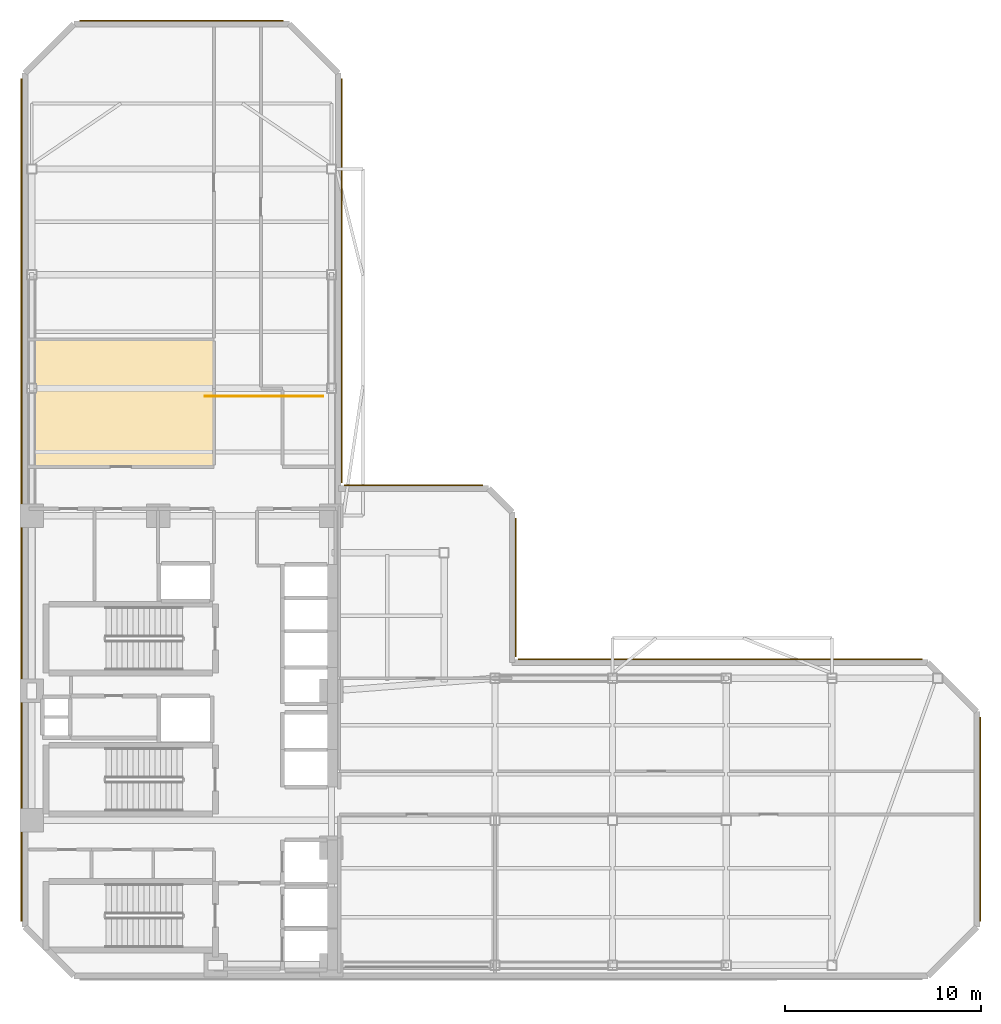
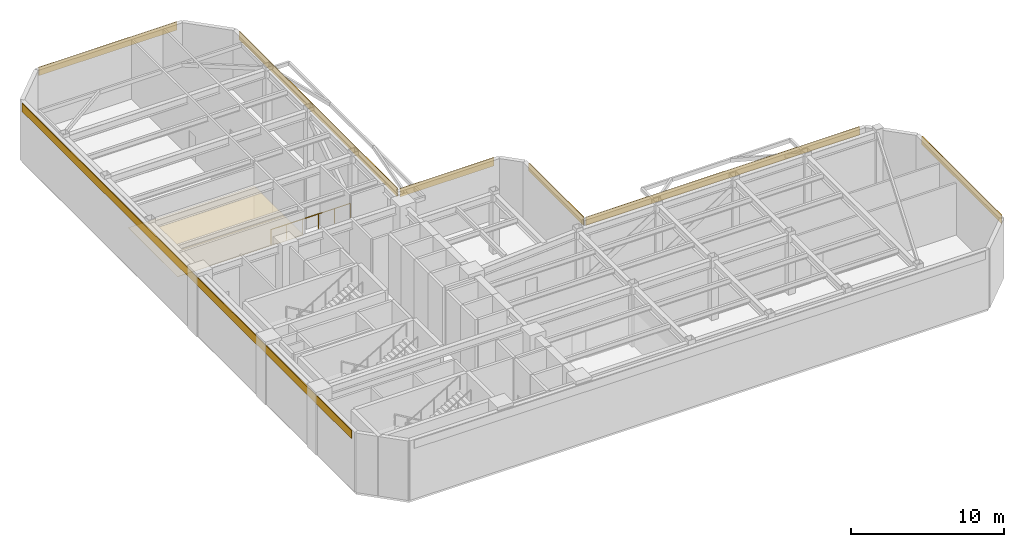
# One storey, part 9 of 9: 8 coverings, 1 railing.
"""IFC4 building model written with IfcOpenShell, lengths in metres."""

from ifc_helpers import new_model, si_unit, direction, frame, origin, origin_2d, place, context, subcontext, project, spatial, polyline, rectangle, outline, extrude, material, layer, layer_set, type_object, element, save


model = new_model("IFC4")

# Units and contexts
model_context = context("Model", 3, precision=1e-05, world=origin(), true_north=direction((0.0, 1.0)))
body_context = subcontext(model_context, "Body", "Model", "MODEL_VIEW")
ifc_project = project(units=[si_unit("LENGTHUNIT", "METRE"), si_unit("AREAUNIT", "SQUARE_METRE"), si_unit("VOLUMEUNIT", "CUBIC_METRE"), si_unit("PLANEANGLEUNIT", "RADIAN"), si_unit("MASSUNIT", "GRAM", prefix="KILO")], contexts=[model_context])

# Site, building, storey
site_placement = place(None, origin())
site = spatial("IfcSite", under=ifc_project, at=site_placement, CompositionType="ELEMENT")
building_placement = place(site_placement, origin())
building = spatial("IfcBuilding", under=site, at=building_placement, Name="Mawjaban Terraces University", CompositionType="ELEMENT")
storey_placement = place(building_placement, frame((0.0, 0.0, 165.800048828125)))
storey = spatial("IfcBuildingStorey", under=building, at=storey_placement, Name="L40", CompositionType="ELEMENT", Elevation=165.800048828125)

# Covering
ifc_material_1 = material(Name="Acoustic mineral fibre ceiling tile", Category="masonry")
ifc_layer_1 = layer(ifc_material_1, 0.02001953125)
ifc_layer_set_1 = layer_set([ifc_layer_1], Name="Acoustic mineral fibre ceiling tile")
covering_type_1 = type_object("IfcCoveringType", Name="AcousticMineralCeiling_20", PredefinedType="CEILING", material=ifc_layer_set_1)
covering_1_placement = place(storey_placement, frame((0.0, 0.0, 2.75)))
element("IfcCovering", 1, at=covering_1_placement, inside=storey, type_object=covering_type_1, Name="L40 Designated Smoke-Protected Refuge Area North Acoustic Ceiling", PredefinedType="CEILING", context=body_context, shape_type="SweptSolid", body=[
    extrude(outline(polyline([(22.114990234375, 26.030029296875), (31.6201171875, 26.030029296875), (31.6201171875, 32.469970703125), (22.114990234375, 32.469970703125), (22.114990234375, 26.030029296875)])), origin(), (0.0, 0.0, 1.0), 0.02001953125),
])

# Railing
ifc_material_2 = material(Name="Galvanised powder-coated steel S355", Category="steel")
railing_type = type_object("IfcRailingType", Name="TerraceGuardrail_1200", PredefinedType="GUARDRAIL", material=ifc_material_2)
railing_placement = place(storey_placement, frame((31.199951171875, 29.60009765625, 0.0)))
element("IfcRailing", 2, at=railing_placement, inside=storey, type_object=railing_type, Name="L40 Open-Band Refuge Guardrail North", PredefinedType="GUARDRAIL", context=body_context, shape_type="SweptSolid", body=[
    extrude(rectangle(XDim=0.048095703125, YDim=0.048095703125, at=origin_2d()), frame((0.0, 0.0, 1.17578125), z_axis=(1.0, 0.0, 0.0), x_axis=(0.0, 1.0, 0.0)), (0.0, 0.0, 1.0), 6.0),
    extrude(rectangle(XDim=0.0419921875, YDim=0.0419921875, at=origin_2d()), origin(), (0.0, 0.0, 1.0), 1.15185546875),
    extrude(rectangle(XDim=0.0419921875, YDim=0.0419921875, at=origin_2d()), frame((1.199951171875, 0.0, 0.0)), (0.0, 0.0, 1.0), 1.15185546875),
    extrude(rectangle(XDim=0.0419921875, YDim=0.0419921875, at=origin_2d()), frame((2.39990234375, 0.0, 0.0)), (0.0, 0.0, 1.0), 1.15185546875),
    extrude(rectangle(XDim=0.0419921875, YDim=0.0419921875, at=origin_2d()), frame((3.60009765625, 0.0, 0.0)), (0.0, 0.0, 1.0), 1.15185546875),
    extrude(rectangle(XDim=0.0419921875, YDim=0.0419921875, at=origin_2d()), frame((4.800048828125, 0.0, 0.0)), (0.0, 0.0, 1.0), 1.15185546875),
    extrude(rectangle(XDim=0.0419921875, YDim=0.0419921875, at=origin_2d()), frame((6.0, 0.0, 0.0)), (0.0, 0.0, 1.0), 1.15185546875),
])

# Coverings
ifc_material_3 = material(Name="Glazed architectural terracotta rainscreen", Category="masonry")
ifc_layer_2 = layer(ifc_material_3, 0.06005859375)
ifc_layer_set_2 = layer_set([ifc_layer_2], Name="Glazed architectural terracotta rainscreen")
covering_type_2 = type_object("IfcCoveringType", Name="TerracottaSpandrelCladding_60", PredefinedType="CLADDING", material=ifc_layer_set_2)
covering_2_placement = place(storey_placement, frame((70.77490234375, 8.0, 4.06494140625), z_axis=(0.0, 0.0, 1.0), x_axis=(0.0, 1.0, 0.0)))
element("IfcCovering", 3, at=covering_2_placement, inside=storey, type_object=covering_type_2, Name="L40 Terracotta Spandrel Cladding 3", PredefinedType="CLADDING", context=body_context, shape_type="SweptSolid", body=[
    extrude(rectangle(XDim=10.39990234375, YDim=0.06005859375, at=origin_2d()), origin(), (0.0, 0.0, 1.0), 0.64990234375),
])
covering_3_placement = place(storey_placement, frame((57.489990234375, 16.175048828125, 4.06494140625), z_axis=(0.0, 0.0, 1.0), x_axis=(-1.0, 0.0, 0.0)))
element("IfcCovering", 4, at=covering_3_placement, inside=storey, type_object=covering_type_2, Name="L40 Terracotta Spandrel Cladding 5", PredefinedType="CLADDING", context=body_context, shape_type="SweptSolid", body=[
    extrude(rectangle(XDim=20.6201171875, YDim=0.06005859375, at=origin_2d()), origin(), (0.0, 0.0, 1.0), 0.64990234375),
])
for number, where, z_axis, x_axis, name in (
    (5, (47.054931640625, 19.840087890625, 4.06494140625), (0.0, 0.0, 1.0), (0.0, 1.0, 0.0), "L40 Terracotta Spandrel Cladding 6"),
    (6, (41.840087890625, 25.054931640625, 4.06494140625), (0.0, 0.0, 1.0), (-1.0, 0.0, 0.0), "L40 Terracotta Spandrel Cladding 8"),
):
    element("IfcCovering", number, at=place(storey_placement, frame(where, z_axis=z_axis, x_axis=x_axis)), inside=storey, type_object=covering_type_2, Name=name, PredefinedType="CLADDING", context=body_context, shape_type="SweptSolid", body=[
        extrude(rectangle(XDim=7.080078125, YDim=0.06005859375, at=origin_2d()), origin(), (0.0, 0.0, 1.0), 0.64990234375),
    ])
covering_4_placement = place(storey_placement, frame((38.175048828125, 35.489990234375, 4.06494140625), z_axis=(0.0, 0.0, 1.0), x_axis=(0.0, 1.0, 0.0)))
element("IfcCovering", 7, at=covering_4_placement, inside=storey, type_object=covering_type_2, Name="L40 Terracotta Spandrel Cladding 9", PredefinedType="CLADDING", context=body_context, shape_type="SweptSolid", body=[
    extrude(rectangle(XDim=20.6201171875, YDim=0.06005859375, at=origin_2d()), origin(), (0.0, 0.0, 1.0), 0.64990234375),
])
covering_5_placement = place(storey_placement, frame((30.0, 48.77490234375, 4.06494140625), z_axis=(0.0, 0.0, 1.0), x_axis=(-1.0, 0.0, 0.0)))
element("IfcCovering", 8, at=covering_5_placement, inside=storey, type_object=covering_type_2, Name="L40 Terracotta Spandrel Cladding 11", PredefinedType="CLADDING", context=body_context, shape_type="SweptSolid", body=[
    extrude(rectangle(XDim=10.39990234375, YDim=0.06005859375, at=origin_2d()), origin(), (0.0, 0.0, 1.0), 0.64990234375),
])
covering_6_placement = place(storey_placement, frame((21.824951171875, 24.300048828125, 4.06494140625), z_axis=(0.0, 0.0, 1.0), x_axis=(0.0, -1.0, 0.0)))
element("IfcCovering", 9, at=covering_6_placement, inside=storey, type_object=covering_type_2, Name="L40 Terracotta Spandrel Cladding 13", PredefinedType="CLADDING", context=body_context, shape_type="SweptSolid", body=[
    extrude(rectangle(XDim=43.0, YDim=0.06005859375, at=origin_2d()), origin(), (0.0, 0.0, 1.0), 0.64990234375),
])

save(model, "model.ifc")
